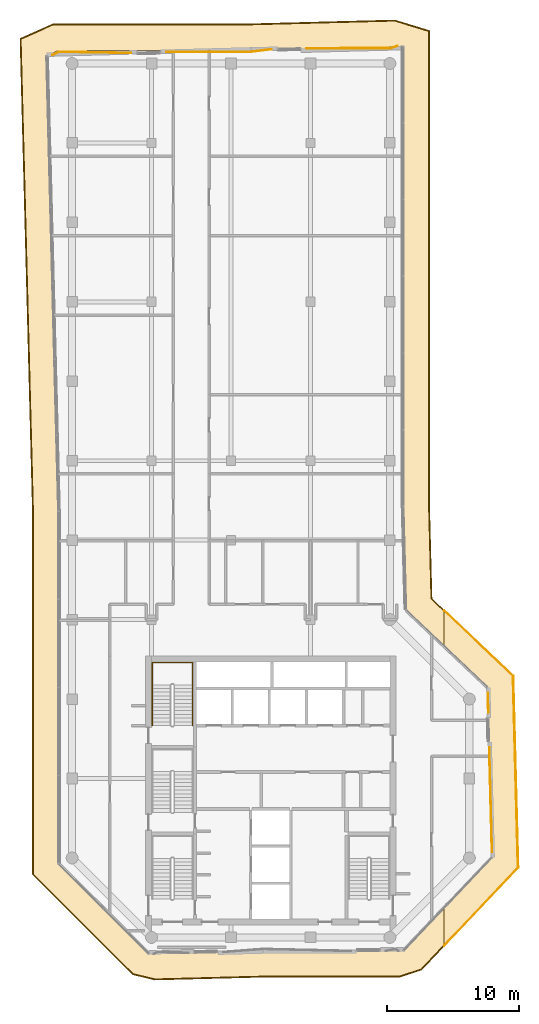
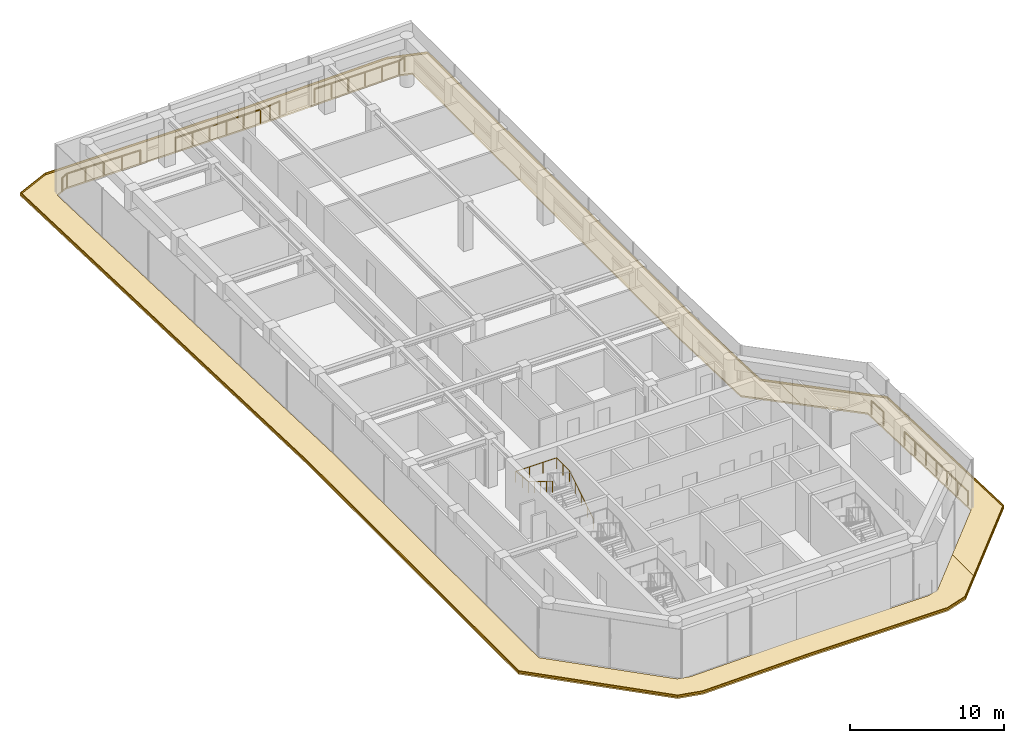
# One storey, part 20 of 20: 6 railings, 4 coverings.
"""IFC4 building model written with IfcOpenShell, lengths in metres."""

import ifcopenshell
import ifcopenshell.guid

model = None  # the IFC model being written
_history = None  # IfcOwnerHistory: only IFC2X3 demands one
_inside = {}  # id of a spatial element -> (the spatial element, [elements in it])
_under = {}  # id of a project, library or spatial element -> (it, [spatial elements below it])
_declared = {}  # id of a project -> (the project, [libraries it declares])
_typed = {}  # id of a type object -> (the type object, [elements of that type])
_made_of = {}  # id of a material, layer set ... -> (it, [elements and type objects made of it])


def new_model(schema):
    """Start an empty IFC model of exactly this schema.

    Asked for "IFC4X3", IfcOpenShell would pick the latest addendum, in which some entities
    have other attributes; the version numbers below select the first issue.
    IFC2X3 requires an IfcOwnerHistory on every rooted entity: one is made here for all.
    """
    global model, _history
    if schema == "IFC4X3":
        model = ifcopenshell.file(schema_version=(4, 3, 0, 0))
    else:
        model = ifcopenshell.file(schema=schema)
    _inside.clear()
    _under.clear()
    _declared.clear()
    _typed.clear()
    _made_of.clear()
    _history = None
    if model.schema == "IFC2X3":
        org = make("IfcOrganization", Name="unknown")
        user = make(
            "IfcPersonAndOrganization",
            ThePerson=make("IfcPerson", FamilyName="unknown"),
            TheOrganization=org,
        )
        app = make(
            "IfcApplication",
            ApplicationDeveloper=org,
            Version="unknown",
            ApplicationFullName="unknown",
            ApplicationIdentifier="unknown",
        )
        _history = make(
            "IfcOwnerHistory",
            OwningUser=user,
            OwningApplication=app,
            ChangeAction="ADDED",
            CreationDate=0,
        )
    return model


def make(cls, **values):
    """One entity of the class cls with the attributes given. An attribute that is None is left unset."""
    return model.create_entity(
        cls, **{name: value for name, value in values.items() if value is not None}
    )


def rooted(cls, **values):
    """An entity with a GlobalId (a new one), such as an element, a storey or a relation."""
    return make(cls, GlobalId=ifcopenshell.guid.new(), OwnerHistory=_history, **values)


def si_unit(unit_type, name, prefix=None):
    """IfcSIUnit, for example si_unit("LENGTHUNIT", "METRE", prefix="MILLI")."""
    return make("IfcSIUnit", UnitType=unit_type, Prefix=prefix, Name=name)


def assignment(units):
    """IfcUnitAssignment: the units of a project."""
    return None if units is None else make("IfcUnitAssignment", Units=units)


def point(xyz):
    """IfcCartesianPoint."""
    return None if xyz is None else make("IfcCartesianPoint", Coordinates=xyz)


def direction(xyz):
    """IfcDirection."""
    return None if xyz is None else make("IfcDirection", DirectionRatios=xyz)


def frame(location, z_axis=None, x_axis=None):
    """IfcAxis2Placement3D, a coordinate frame: its origin and axes. An axis left out is left unset."""
    return make(
        "IfcAxis2Placement3D",
        Location=point(location),
        Axis=direction(z_axis),
        RefDirection=direction(x_axis),
    )


def frame_2d(location, x_axis=None):
    """IfcAxis2Placement2D, a coordinate frame in the plane: its origin and x axis."""
    return make(
        "IfcAxis2Placement2D", Location=point(location), RefDirection=direction(x_axis)
    )


def origin():
    """The frame at (0, 0, 0) with its axes left unset."""
    return frame((0.0, 0.0, 0.0))


def origin_2d():
    """The frame at (0, 0) in the plane with its x axis left unset."""
    return frame_2d((0.0, 0.0))


def place(relative_to, where):
    """IfcLocalPlacement: puts the frame where relative to a parent placement (None: the world)."""
    return make(
        "IfcLocalPlacement", PlacementRelTo=relative_to, RelativePlacement=where
    )


def context(
    kind, dimensions, precision=None, world=None, true_north=None, identifier=None
):
    """IfcGeometricRepresentationContext, for example the 3D "Model" context."""
    return make(
        "IfcGeometricRepresentationContext",
        ContextIdentifier=identifier,
        ContextType=kind,
        CoordinateSpaceDimension=dimensions,
        Precision=precision,
        WorldCoordinateSystem=world,
        TrueNorth=true_north,
    )


def subcontext(parent, identifier, kind, view, scale=None):
    """IfcGeometricRepresentationSubContext, for example "Body" below "Model"."""
    return make(
        "IfcGeometricRepresentationSubContext",
        ContextIdentifier=identifier,
        ContextType=kind,
        ParentContext=parent,
        TargetScale=scale,
        TargetView=view,
    )


def project(units=None, contexts=None):
    """IfcProject with its units and contexts."""
    return rooted(
        "IfcProject",
        Name="project",
        RepresentationContexts=contexts,
        UnitsInContext=assignment(units),
    )


def spatial(cls, under=None, at=None, **own):
    """A site, building, storey or space (cls), placed at a placement, below another one or the project."""
    s = rooted(cls, ObjectPlacement=at, **own)
    if under is not None:
        _under.setdefault(under.id(), (under, []))[1].append(s)
    return s


def polyline(points):
    """IfcPolyline through the points."""
    return make("IfcPolyline", Points=[point(p) for p in points])


def profile(cls, at=None, kind="AREA", **sizes):
    """A parametric profile (cls). Its sizes go by their IFC names, for example OverallWidth=200.0."""
    return make(cls, ProfileType=kind, Position=at, **sizes)


def circle(**sizes):
    """IfcCircleProfileDef."""
    return profile("IfcCircleProfileDef", **sizes)


def outline(outer, holes=None, kind="AREA"):
    """IfcArbitraryClosedProfileDef: a profile drawn as a closed curve; with holes, ...WithVoids."""
    if holes is None:
        return make("IfcArbitraryClosedProfileDef", ProfileType=kind, OuterCurve=outer)
    return make(
        "IfcArbitraryProfileDefWithVoids",
        ProfileType=kind,
        OuterCurve=outer,
        InnerCurves=holes,
    )


def extrude(swept, where, along, depth):
    """IfcExtrudedAreaSolid: the profile swept, set in the frame where, extruded along a direction by depth."""
    return make(
        "IfcExtrudedAreaSolid",
        SweptArea=swept,
        Position=where,
        ExtrudedDirection=direction(along),
        Depth=depth,
    )


def shape(context_of_items, identifier, shape_type, items):
    """IfcShapeRepresentation: the items that make up one representation, for example the "Body"."""
    return make(
        "IfcShapeRepresentation",
        ContextOfItems=context_of_items,
        RepresentationIdentifier=identifier,
        RepresentationType=shape_type,
        Items=items,
    )


def material(Name=None, Category=None):
    """IfcMaterial."""
    return make("IfcMaterial", Name=Name, Category=Category)


def layer(
    of_material, thickness, ventilated=None, Name=None, Category=None, Priority=None
):
    """IfcMaterialLayer: one layer of a wall or slab, of a material (None: an air gap)."""
    return make(
        "IfcMaterialLayer",
        Material=of_material,
        LayerThickness=thickness,
        IsVentilated=ventilated,
        Name=Name,
        Category=Category,
        Priority=Priority,
    )


def layer_set(layers, Name=None):
    """IfcMaterialLayerSet."""
    return make("IfcMaterialLayerSet", MaterialLayers=layers, LayerSetName=Name)


def made_of(thing, what):
    """Note that an element or type object is made of a material, layer set ...; save() writes the relation."""
    if what is not None:
        _made_of.setdefault(what.id(), (what, []))[1].append(thing)
    return thing


def type_object(cls, material=None, **own):
    """A type object (cls), such as IfcWallType, which elements share."""
    return made_of(rooted(cls, **own), material)


def element(
    cls,
    number,
    at=None,
    inside=None,
    cuts=None,
    type_object=None,
    material=None,
    context=None,
    identifier="Body",
    shape_type=None,
    held_by="IfcProductDefinitionShape",
    body=None,
    shapes=None,
    **own,
):
    """One element of the class cls, such as IfcWall. Its Tag is "e" and its number.

    at: its placement. inside: the storey or other place that contains it. cuts: it is an
    opening in that element (IfcRelVoidsElement). A single representation is given by context,
    identifier, shape_type and body (its items); several are given by shapes. held_by: the class
    of the entity that holds the representations. save() writes the other relations.
    """
    e = rooted(cls, Tag="e%d" % number, ObjectPlacement=at, **own)
    if body is not None:
        shapes = [shape(context, identifier, shape_type, body)]
    if shapes is not None:
        e.Representation = make(held_by, Representations=shapes)
    if inside is not None:
        _inside.setdefault(inside.id(), (inside, []))[1].append(e)
    if cuts is not None:
        rooted(
            "IfcRelVoidsElement", RelatingBuildingElement=cuts, RelatedOpeningElement=e
        )
    if type_object is not None:
        _typed.setdefault(type_object.id(), (type_object, []))[1].append(e)
    return made_of(e, material)


def aggregate(whole, parts):
    """IfcRelAggregates: a whole, such as a stair, and the parts it consists of."""
    return rooted("IfcRelAggregates", RelatingObject=whole, RelatedObjects=parts)


def save(model, path):
    """Write the relations noted so far, then the file.

    IfcRelAggregates (storeys below a building ...), IfcRelContainedInSpatialStructure (elements
    in a storey), IfcRelDefinesByType, IfcRelAssociatesMaterial and IfcRelDeclares: one each for
    every whole, place, type object, material and project.
    """
    for whole, parts in _under.values():
        aggregate(whole, parts)
    for where, things in _inside.values():
        rooted(
            "IfcRelContainedInSpatialStructure",
            RelatedElements=things,
            RelatingStructure=where,
        )
    for kind, things in _typed.values():
        rooted("IfcRelDefinesByType", RelatedObjects=things, RelatingType=kind)
    for what, things in _made_of.values():
        rooted("IfcRelAssociatesMaterial", RelatedObjects=things, RelatingMaterial=what)
    for by, libraries in _declared.values():
        rooted("IfcRelDeclares", RelatingContext=by, RelatedDefinitions=libraries)
    model.write(path)


model = new_model("IFC4")

# Units and contexts
model_context = context("Model", 3, precision=1e-05, world=origin(), true_north=direction((0.0, 1.0)))
body_context = subcontext(model_context, "Body", "Model", "MODEL_VIEW")
ifc_project = project(units=[si_unit("LENGTHUNIT", "METRE"), si_unit("AREAUNIT", "SQUARE_METRE"), si_unit("VOLUMEUNIT", "CUBIC_METRE"), si_unit("PLANEANGLEUNIT", "RADIAN"), si_unit("MASSUNIT", "GRAM", prefix="KILO")], contexts=[model_context])

# Site, building, storey
site_placement = place(None, origin())
site = spatial("IfcSite", under=ifc_project, at=site_placement, CompositionType="ELEMENT")
building_placement = place(site_placement, origin())
building = spatial("IfcBuilding", under=site, at=building_placement, Name="Welwitschia Terrace Campus", CompositionType="ELEMENT")
storey_placement = place(building_placement, frame((0.0, 0.0, 222.199951171875)))
storey = spatial("IfcBuildingStorey", under=building, at=storey_placement, Name="L49", CompositionType="ELEMENT", Elevation=222.199951171875)

# Railings
ifc_material_1 = material(Name="Stainless steel grade 316", Category="steel")
railing_type_1 = type_object("IfcRailingType", Name="Guard 1100", PredefinedType="GUARDRAIL", material=ifc_material_1)
railing_1_placement = place(storey_placement, frame((-1.48291015625, 70.62744140625, 0.0)))
element("IfcRailing", 1, at=railing_1_placement, inside=storey, type_object=railing_type_1, Name="Guard floor edge L49.0", PredefinedType="GUARDRAIL", context=body_context, shape_type="SweptSolid", body=[
    extrude(circle(Radius=0.02392578125, at=origin_2d()), frame((0.0, 0.0, 1.076171875), z_axis=(0.895713503607, 0.444631667177, 0.0), x_axis=(-0.444631667177, 0.895713503607, 0.0)), (0.0, 0.0, 1.0), 0.56787109375),
    extrude(circle(Radius=0.02392578125, at=origin_2d()), frame((0.508544921875, 0.25244140625, 1.076171875), z_axis=(0.999853252079, -0.017131091831, 0.0), x_axis=(0.017131091831, 0.999853252079, 0.0)), (0.0, 0.0, 1.0), 5.4296875),
    extrude(circle(Radius=0.02099609375, at=origin_2d()), origin(), (0.0, 0.0, 1.0), 1.052001953125),
    extrude(circle(Radius=0.02099609375, at=origin_2d()), frame((0.508544921875, 0.25244140625, 0.0)), (0.0, 0.0, 1.0), 1.052001953125),
    extrude(circle(Radius=0.02099609375, at=origin_2d()), frame((1.86572265625, 0.229248046875, 0.0)), (0.0, 0.0, 1.0), 1.052001953125),
    extrude(circle(Radius=0.02099609375, at=origin_2d()), frame((3.22314453125, 0.2060546875, 0.0)), (0.0, 0.0, 1.0), 1.052001953125),
    extrude(circle(Radius=0.02099609375, at=origin_2d()), frame((4.580322265625, 0.1826171875, 0.0)), (0.0, 0.0, 1.0), 1.052001953125),
    extrude(circle(Radius=0.02099609375, at=origin_2d()), frame((5.9375, 0.159423828125, 0.0)), (0.0, 0.0, 1.0), 1.052001953125),
])
railing_2_placement = place(storey_placement, frame((7.142578125, 70.85888671875, 0.0)))
element("IfcRailing", 2, at=railing_2_placement, inside=storey, type_object=railing_type_1, Name="Guard floor edge L49.2", PredefinedType="GUARDRAIL", context=body_context, shape_type="SweptSolid", body=[
    extrude(circle(Radius=0.02392578125, at=origin_2d()), frame((0.0, 0.0, 1.076171875), z_axis=(0.999994583097, 0.003291470229, 0.0), x_axis=(-0.003291470229, 0.999994583097, 0.0)), (0.0, 0.0, 1.0), 6.37890625),
    extrude(circle(Radius=0.02392578125, at=origin_2d()), frame((6.37890625, 0.02099609375, 1.076171875), z_axis=(0.992523233369, 0.122055852885, 0.0), x_axis=(-0.122055852885, 0.992523233369, 0.0)), (0.0, 0.0, 1.0), 1.564208984375),
    extrude(circle(Radius=0.02099609375, at=origin_2d()), origin(), (0.0, 0.0, 1.0), 1.052001953125),
    extrude(circle(Radius=0.02099609375, at=origin_2d()), frame((1.27587890625, 0.004150390625, 0.0)), (0.0, 0.0, 1.0), 1.052001953125),
    extrude(circle(Radius=0.02099609375, at=origin_2d()), frame((2.551513671875, 0.00830078125, 0.0)), (0.0, 0.0, 1.0), 1.052001953125),
    extrude(circle(Radius=0.02099609375, at=origin_2d()), frame((3.827392578125, 0.0126953125, 0.0)), (0.0, 0.0, 1.0), 1.052001953125),
    extrude(circle(Radius=0.02099609375, at=origin_2d()), frame((5.10302734375, 0.016845703125, 0.0)), (0.0, 0.0, 1.0), 1.052001953125),
    extrude(circle(Radius=0.02099609375, at=origin_2d()), frame((6.37890625, 0.02099609375, 0.0)), (0.0, 0.0, 1.0), 1.052001953125),
    extrude(circle(Radius=0.02099609375, at=origin_2d()), frame((7.1552734375, 0.116455078125, 0.0)), (0.0, 0.0, 1.0), 1.052001953125),
    extrude(circle(Radius=0.02099609375, at=origin_2d()), frame((7.931396484375, 0.2119140625, 0.0)), (0.0, 0.0, 1.0), 1.052001953125),
])
railing_3_placement = place(storey_placement, frame((17.720458984375, 71.139892578125, 0.0)))
element("IfcRailing", 3, at=railing_3_placement, inside=storey, type_object=railing_type_1, Name="Guard floor edge L49.4", PredefinedType="GUARDRAIL", context=body_context, shape_type="SweptSolid", body=[
    extrude(circle(Radius=0.02392578125, at=origin_2d()), frame((0.0, 0.0, 1.076171875), z_axis=(0.999996685871, 0.00257453804, 0.0), x_axis=(-0.00257453804, 0.999996685871, 0.0)), (0.0, 0.0, 1.0), 6.353515625),
    extrude(circle(Radius=0.02392578125, at=origin_2d()), frame((6.353515625, 0.016357421875, 1.076171875), z_axis=(0.950301895855, 0.311329900162, 0.0), x_axis=(-0.311329900162, 0.950301895855, 0.0)), (0.0, 0.0, 1.0), 0.52392578125),
    extrude(circle(Radius=0.02099609375, at=origin_2d()), origin(), (0.0, 0.0, 1.0), 1.052001953125),
    extrude(circle(Radius=0.02099609375, at=origin_2d()), frame((1.270751953125, 0.003173828125, 0.0)), (0.0, 0.0, 1.0), 1.052001953125),
    extrude(circle(Radius=0.02099609375, at=origin_2d()), frame((2.54150390625, 0.006591796875, 0.0)), (0.0, 0.0, 1.0), 1.052001953125),
    extrude(circle(Radius=0.02099609375, at=origin_2d()), frame((3.81201171875, 0.009765625, 0.0)), (0.0, 0.0, 1.0), 1.052001953125),
    extrude(circle(Radius=0.02099609375, at=origin_2d()), frame((5.082763671875, 0.01318359375, 0.0)), (0.0, 0.0, 1.0), 1.052001953125),
    extrude(circle(Radius=0.02099609375, at=origin_2d()), frame((6.353515625, 0.016357421875, 0.0)), (0.0, 0.0, 1.0), 1.052001953125),
    extrude(circle(Radius=0.02099609375, at=origin_2d()), frame((6.851318359375, 0.179443359375, 0.0)), (0.0, 0.0, 1.0), 1.052001953125),
])
railing_4_placement = place(storey_placement, frame((31.400634765625, 22.454345703125, 0.0)))
element("IfcRailing", 4, at=railing_4_placement, inside=storey, type_object=railing_type_1, Name="Guard floor edge L49.6", PredefinedType="GUARDRAIL", context=body_context, shape_type="SweptSolid", body=[
    extrude(circle(Radius=0.02392578125, at=origin_2d()), frame((0.0, 0.0, 1.076171875), z_axis=(0.026315441991, -0.999653688791, 0.0), x_axis=(0.999653688791, 0.026315441991, 0.0)), (0.0, 0.0, 1.0), 1.4658203125),
    extrude(circle(Radius=0.02099609375, at=origin_2d()), origin(), (0.0, 0.0, 1.0), 1.052001953125),
    extrude(circle(Radius=0.02099609375, at=origin_2d()), frame((0.03857421875, -1.46533203125, 0.0)), (0.0, 0.0, 1.0), 1.052001953125),
])
railing_5_placement = place(storey_placement, frame((31.50830078125, 18.342529296875, 0.0)))
element("IfcRailing", 5, at=railing_5_placement, inside=storey, type_object=railing_type_1, Name="Guard floor edge L49.7", PredefinedType="GUARDRAIL", context=body_context, shape_type="SweptSolid", body=[
    extrude(circle(Radius=0.02392578125, at=origin_2d()), frame((0.0, 0.0, 1.076171875), z_axis=(0.026199308686, -0.999656739198, 0.0), x_axis=(0.999656739198, 0.026199308686, 0.0)), (0.0, 0.0, 1.0), 7.892822265625),
    extrude(circle(Radius=0.02099609375, at=origin_2d()), origin(), (0.0, 0.0, 1.0), 1.052001953125),
    extrude(circle(Radius=0.02099609375, at=origin_2d()), frame((0.034423828125, -1.31494140625, 0.0)), (0.0, 0.0, 1.0), 1.052001953125),
    extrude(circle(Radius=0.02099609375, at=origin_2d()), frame((0.06884765625, -2.630126953125, 0.0)), (0.0, 0.0, 1.0), 1.052001953125),
    extrude(circle(Radius=0.02099609375, at=origin_2d()), frame((0.103515625, -3.945068359375, 0.0)), (0.0, 0.0, 1.0), 1.052001953125),
    extrude(circle(Radius=0.02099609375, at=origin_2d()), frame((0.137939453125, -5.260009765625, 0.0)), (0.0, 0.0, 1.0), 1.052001953125),
    extrude(circle(Radius=0.02099609375, at=origin_2d()), frame((0.17236328125, -6.5751953125, 0.0)), (0.0, 0.0, 1.0), 1.052001953125),
    extrude(circle(Radius=0.02099609375, at=origin_2d()), frame((0.206787109375, -7.89013671875, 0.0)), (0.0, 0.0, 1.0), 1.052001953125),
])
ifc_material_2 = material(Name="Steel S355", Category="steel")
railing_type_2 = type_object("IfcRailingType", Name="Stair handrail 900", PredefinedType="HANDRAIL", material=ifc_material_2)
railing_6_placement = place(storey_placement, frame((9.10009765625, 20.0, 0.175048828125)))
element("IfcRailing", 6, at=railing_6_placement, inside=storey, type_object=railing_type_2, Name="L49 S4 stair handrail", PredefinedType="HANDRAIL", context=body_context, shape_type="SweptSolid", body=[
    extrude(circle(Radius=0.02392578125, at=origin_2d()), frame((0.0, 0.0, 0.8759765625), z_axis=(0.0, 0.847998304005, 0.529998940003), x_axis=(-1.0, 0.0, 0.0)), (0.0, 0.0, 1.0), 3.632080078125),
    extrude(circle(Radius=0.02392578125, at=origin_2d()), frame((0.0, 3.080078125, 2.80078125), z_axis=(0.0, 1.0, 0.0), x_axis=(-1.0, 0.0, 0.0)), (0.0, 0.0, 1.0), 1.669921875),
    extrude(circle(Radius=0.02392578125, at=origin_2d()), frame((0.0, 4.75, 2.80078125), z_axis=(-1.0, 0.0, 0.0), x_axis=(0.0, -1.0, 0.0)), (0.0, 0.0, 1.0), 3.050048828125),
    extrude(circle(Radius=0.02392578125, at=origin_2d()), frame((-3.050048828125, 4.75, 2.80078125), z_axis=(0.0, -0.99455077262, 0.104253348533), x_axis=(1.0, 0.0, 0.0)), (0.0, 0.0, 1.0), 1.678955078125),
    extrude(circle(Radius=0.02392578125, at=origin_2d()), frame((-3.050048828125, 3.080078125, 2.97607421875), z_axis=(0.0, -0.848028513186, 0.529950602248), x_axis=(1.0, 0.0, 0.0)), (0.0, 0.0, 1.0), 3.632080078125),
    extrude(circle(Radius=0.02099609375, at=origin_2d()), origin(), (0.0, 0.0, 1.0), 0.851806640625),
    extrude(circle(Radius=0.02099609375, at=origin_2d()), frame((0.0, 0.77001953125, 0.481201171875)), (0.0, 0.0, 1.0), 0.851806640625),
    extrude(circle(Radius=0.02099609375, at=origin_2d()), frame((0.0, 1.5400390625, 0.96240234375)), (0.0, 0.0, 1.0), 0.851806640625),
    extrude(circle(Radius=0.02099609375, at=origin_2d()), frame((0.0, 2.31005859375, 1.44384765625)), (0.0, 0.0, 1.0), 0.851806640625),
    extrude(circle(Radius=0.02099609375, at=origin_2d()), frame((0.0, 3.080078125, 1.925048828125)), (0.0, 0.0, 1.0), 0.851806640625),
    extrude(circle(Radius=0.02099609375, at=origin_2d()), frame((0.0, 3.9150390625, 1.925048828125)), (0.0, 0.0, 1.0), 0.851806640625),
    extrude(circle(Radius=0.02099609375, at=origin_2d()), frame((0.0, 4.75, 1.925048828125)), (0.0, 0.0, 1.0), 0.851806640625),
    extrude(circle(Radius=0.02099609375, at=origin_2d()), frame((-1.0166015625, 4.75, 1.925048828125)), (0.0, 0.0, 1.0), 0.851806640625),
    extrude(circle(Radius=0.02099609375, at=origin_2d()), frame((-2.033447265625, 4.75, 1.925048828125)), (0.0, 0.0, 1.0), 0.851806640625),
    extrude(circle(Radius=0.02099609375, at=origin_2d()), frame((-3.050048828125, 4.75, 1.925048828125)), (0.0, 0.0, 1.0), 0.851806640625),
    extrude(circle(Radius=0.02099609375, at=origin_2d()), frame((-3.050048828125, 3.9150390625, 2.0126953125)), (0.0, 0.0, 1.0), 0.851806640625),
    extrude(circle(Radius=0.02099609375, at=origin_2d()), frame((-3.050048828125, 3.080078125, 2.10009765625)), (0.0, 0.0, 1.0), 0.851806640625),
    extrude(circle(Radius=0.02099609375, at=origin_2d()), frame((-3.050048828125, 2.31005859375, 2.581298828125)), (0.0, 0.0, 1.0), 0.851806640625),
    extrude(circle(Radius=0.02099609375, at=origin_2d()), frame((-3.050048828125, 1.5400390625, 3.0625)), (0.0, 0.0, 1.0), 0.851806640625),
    extrude(circle(Radius=0.02099609375, at=origin_2d()), frame((-3.050048828125, 0.77001953125, 3.543701171875)), (0.0, 0.0, 1.0), 0.851806640625),
    extrude(circle(Radius=0.02099609375, at=origin_2d()), frame((-3.050048828125, 0.0, 4.02490234375)), (0.0, 0.0, 1.0), 0.851806640625),
])

# Coverings
ifc_material_3 = material(Name="Bronze anodised aluminium", Category="aluminium")
ifc_layer_1 = layer(ifc_material_3, 0.1201171875)
ifc_layer_set_1 = layer_set([ifc_layer_1], Name="Bronze anodised aluminium")
covering_type_1 = type_object("IfcCoveringType", Name="Sunshade band 2000", PredefinedType="USERDEFINED", material=ifc_layer_set_1)
covering_1_placement = place(storey_placement, frame((0.0, 0.0, -0.25)))
element("IfcCovering", 7, at=covering_1_placement, inside=storey, type_object=covering_type_1, Name="SUNSHADE L49.SW0", ObjectType="SUNSHADE", PredefinedType="USERDEFINED", context=body_context, shape_type="SweptSolid", body=[
    extrude(outline(polyline([(-1.427734375, 73.0), (13.49365234375, 73.0), (24.362060546875, 73.28466796875), (27.0, 72.48193359375), (27.0, 36.55859375), (27.1826171875, 29.586181640625), (28.09912109375, 28.71630859375), (28.09912109375, 25.959228515625), (25.205078125, 28.70556640625), (25.0, 36.532470703125), (25.0, 71.0), (24.090087890625, 71.27685546875), (13.52001953125, 71.0), (-1.0, 71.0), (-1.90087890625, 70.59619140625), (-1.0, 36.192138671875), (-1.0, 9.585693359375), (5.585693359375, 3.0), (6.462646484375, 2.7919921875), (14.41015625, 3.0), (24.414306640625, 3.0), (25.28466796875, 3.284912109375), (28.09912109375, 6.25048828125), (28.09912109375, 3.34521484375), (26.38720703125, 1.541259765625), (24.733154296875, 1.0), (14.436279296875, 1.0), (6.25439453125, 0.785888671875), (4.572509765625, 1.18505859375), (-3.0, 8.75732421875), (-3.0, 36.166015625), (-3.93505859375, 71.876220703125), (-1.427734375, 73.0)])), origin(), (0.0, 0.0, 1.0), 0.1201171875),
])
covering_2_placement = place(storey_placement, frame((0.0, 0.0, -0.25)))
element("IfcCovering", 8, at=covering_2_placement, inside=storey, type_object=covering_type_1, Name="SUNSHADE L49.SE0", ObjectType="SUNSHADE", PredefinedType="USERDEFINED", context=body_context, shape_type="SweptSolid", body=[
    extrude(outline(polyline([(33.337646484375, 23.7451171875), (33.716796875, 9.264892578125), (28.09912109375, 3.34521484375), (28.09912109375, 6.25048828125), (31.69580078125, 10.040771484375), (31.360107421875, 22.86474609375), (28.09912109375, 25.959228515625), (28.09912109375, 28.71630859375), (33.337646484375, 23.7451171875)])), origin(), (0.0, 0.0, 1.0), 0.1201171875),
])
ifc_material_4 = material(Name="Bronze anodised aluminium", Category="aluminium")
ifc_layer_2 = layer(ifc_material_4, 0.06005859375)
ifc_layer_set_2 = layer_set([ifc_layer_2], Name="Bronze anodised aluminium")
covering_type_2 = type_object("IfcCoveringType", Name="Sunshade lip 60", PredefinedType="USERDEFINED", material=ifc_layer_set_2)
covering_3_placement = place(storey_placement, frame((0.0, 0.0, -0.1298828125)))
element("IfcCovering", 9, at=covering_3_placement, inside=storey, type_object=covering_type_2, Name="SUNSHADE LIP L49.SW0.0", ObjectType="SUNSHADE", PredefinedType="USERDEFINED", context=body_context, shape_type="SweptSolid", body=[
    extrude(outline(polyline([(13.49365234375, 73.0), (24.362060546875, 73.28466796875), (27.0, 72.48193359375), (27.0, 36.55859375), (27.1826171875, 29.586181640625), (28.09912109375, 28.71630859375), (28.09912109375, 28.633544921875), (27.123291015625, 29.559814453125), (26.93994140625, 36.557861328125), (26.93994140625, 72.4375), (24.35400390625, 73.224365234375), (13.494384765625, 72.93994140625), (-1.414794921875, 72.93994140625), (-3.8740234375, 71.837646484375), (-2.93994140625, 36.166748046875), (-2.93994140625, 8.7822265625), (4.602783203125, 1.239501953125), (6.2607421875, 0.845947265625), (14.435546875, 1.06005859375), (24.723388671875, 1.06005859375), (26.35400390625, 1.593505859375), (28.09912109375, 3.432373046875), (28.09912109375, 3.34521484375), (26.38720703125, 1.541259765625), (24.733154296875, 1.0), (14.436279296875, 1.0), (6.25439453125, 0.785888671875), (4.572509765625, 1.18505859375), (-3.0, 8.75732421875), (-3.0, 36.166015625), (-3.93505859375, 71.876220703125), (-1.427734375, 73.0), (13.49365234375, 73.0)])), origin(), (0.0, 0.0, 1.0), 0.1298828125),
])
covering_4_placement = place(storey_placement, frame((0.0, 0.0, -0.1298828125)))
element("IfcCovering", 10, at=covering_4_placement, inside=storey, type_object=covering_type_2, Name="SUNSHADE LIP L49.SE0.0", ObjectType="SUNSHADE", PredefinedType="USERDEFINED", context=body_context, shape_type="SweptSolid", body=[
    extrude(outline(polyline([(33.716796875, 9.264892578125), (28.09912109375, 3.34521484375), (28.09912109375, 3.432373046875), (33.656005859375, 9.2880859375), (33.2783203125, 23.71875), (28.09912109375, 28.633544921875), (28.09912109375, 28.71630859375), (33.337646484375, 23.7451171875), (33.716796875, 9.264892578125)])), origin(), (0.0, 0.0, 1.0), 0.1298828125),
])

save(model, "model.ifc")
